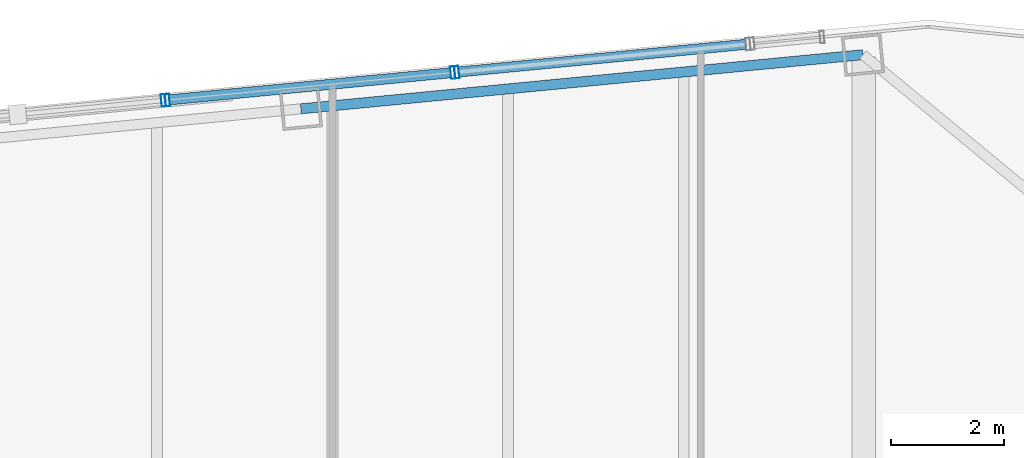
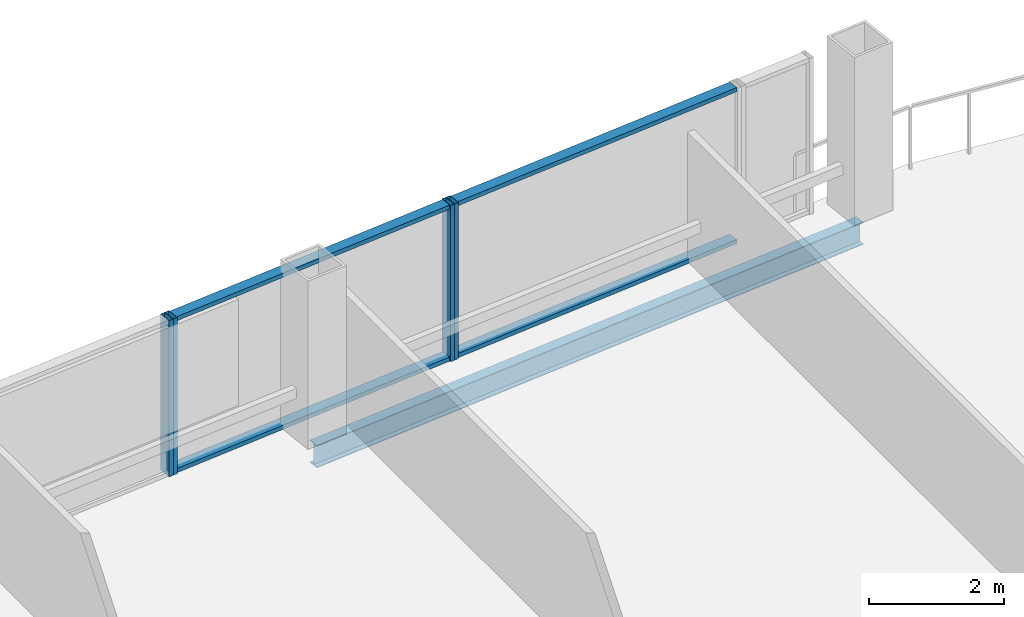
# One storey, part 21 of 29: 8 members, 1 beam, 3 elements without a shape of their own.
"""IFC4 building model written with IfcOpenShell, lengths in metres."""

from ifc_helpers import new_model, si_unit, direction, frame, origin, origin_2d, place, context, subcontext, project, spatial, hollow_rectangle, i_section, extrude, material, layer, layer_set, material_profile, profile_set, type_object, element, aggregate, save


model = new_model("IFC4")

# Units and contexts
model_context = context("Model", 3, precision=1e-05, world=origin(), true_north=direction((0.0, 1.0)))
body_context = subcontext(model_context, "Body", "Model", "MODEL_VIEW")
ifc_project = project(units=[si_unit("LENGTHUNIT", "METRE"), si_unit("AREAUNIT", "SQUARE_METRE"), si_unit("VOLUMEUNIT", "CUBIC_METRE"), si_unit("PLANEANGLEUNIT", "RADIAN"), si_unit("MASSUNIT", "GRAM", prefix="KILO")], contexts=[model_context])

# Site, building, storey
site_placement = place(None, origin())
site = spatial("IfcSite", under=ifc_project, at=site_placement, CompositionType="ELEMENT")
building_placement = place(site_placement, origin())
building = spatial("IfcBuilding", under=site, at=building_placement, Name="Qhalaya Broadcast Tower", CompositionType="ELEMENT")
storey_placement = place(building_placement, frame((0.0, 0.0, 177.5)))
storey = spatial("IfcBuildingStorey", under=building, at=storey_placement, Name="L52", CompositionType="ELEMENT", Elevation=177.5)

# Curtain wall, member
ifc_material_1 = material(Name="Fired Architectural Terracotta", Category="masonry")
ifc_layer_1 = layer(ifc_material_1, 0.219970703125, Name="Fired Architectural Terracotta")
ifc_layer_set_1 = layer_set([ifc_layer_1], Name="Fired Architectural Terracotta")
curtain_wall_type_1 = type_object("IfcCurtainWallType", Name="Block-Cap Unitised Terracotta Spandrel Wall CW-07", PredefinedType="NOTDEFINED", material=ifc_layer_set_1)
curtain_wall_1_placement = place(storey_placement, origin())
curtain_wall_1 = element("IfcCurtainWall", 1, at=curtain_wall_1_placement, inside=storey, type_object=curtain_wall_type_1, Name="L52 Unitised Curtain Wall L52-CW-N2", PredefinedType="NOTDEFINED")
ifc_material_2 = material(Name="Anodised Aluminium 6063-T6", Category="aluminium")
ifc_material_profile_1 = material_profile(ifc_material_2, hollow_rectangle(XDim=0.074951171875, YDim=0.219970703125, WallThickness=0.00390625, at=origin_2d()), Name="ALU-MUL 75x220x4")
ifc_profile_set_1 = profile_set([ifc_material_profile_1], Name="Anodised Aluminium 6063-T6")
member_type_1 = type_object("IfcMemberType", Name="Unitised Curtain-Wall Mullion M01", PredefinedType="MULLION", material=ifc_profile_set_1)
member_1_placement = place(storey_placement, frame((2.195068359375, 25.219482421875, 0.0), z_axis=(0.0, 0.0, 1.0), x_axis=(-0.995395267059, -0.095855424032, 0.0)))
member_1 = element("IfcMember", 2, at=member_1_placement, type_object=member_type_1, Name="CW-07 mullion 2", PredefinedType="MULLION", context=body_context, shape_type="SweptSolid", body=[
    extrude(hollow_rectangle(XDim=0.074951171875, YDim=0.219970703125, WallThickness=0.00390625, at=origin_2d()), origin(), (0.0, 0.0, 1.0), 2.830078125),
])

# Curtain wall, members
ifc_material_3 = material(Name="Solar-Control Low-E Triple Glazing", Category="glass")
ifc_layer_2 = layer(ifc_material_3, 0.219970703125, Name="Solar-Control Low-E Triple Glazing")
ifc_layer_set_2 = layer_set([ifc_layer_2], Name="Solar-Control Low-E Triple Glazing")
curtain_wall_type_2 = type_object("IfcCurtainWallType", Name="Even-Block 4-Storey Double-Module Curtain Wall CW-03", PredefinedType="NOTDEFINED", material=ifc_layer_set_2)
curtain_wall_2_placement = place(storey_placement, origin())
curtain_wall_2 = element("IfcCurtainWall", 3, at=curtain_wall_2_placement, inside=storey, type_object=curtain_wall_type_2, Name="L52 Unitised Curtain Wall L52-CW-N3", PredefinedType="NOTDEFINED")
member_2_placement = place(storey_placement, frame((2.120361328125, 25.21240234375, 0.0), z_axis=(0.0, 0.0, 1.0), x_axis=(-0.995395950784, -0.095848323733, 0.0)))
member_2 = element("IfcMember", 4, at=member_2_placement, type_object=member_type_1, Name="CW-03 mullion 1", PredefinedType="MULLION", context=body_context, shape_type="SweptSolid", body=[
    extrude(hollow_rectangle(XDim=0.074951171875, YDim=0.219970703125, WallThickness=0.00390625, at=origin_2d()), origin(), (0.0, 0.0, 1.0), 2.830078125),
])
member_3_placement = place(storey_placement, frame((-2.912353515625, 24.727783203125, 0.0), z_axis=(0.0, 0.0, 1.0), x_axis=(-0.995395950784, -0.095848323733, 0.0)))
member_3 = element("IfcMember", 5, at=member_3_placement, type_object=member_type_1, Name="CW-03 mullion 2", PredefinedType="MULLION", context=body_context, shape_type="SweptSolid", body=[
    extrude(hollow_rectangle(XDim=0.074951171875, YDim=0.219970703125, WallThickness=0.00390625, at=origin_2d()), origin(), (0.0, 0.0, 1.0), 2.830078125),
])

# Curtain wall, member
curtain_wall_3_placement = place(storey_placement, origin())
curtain_wall_3 = element("IfcCurtainWall", 6, at=curtain_wall_3_placement, inside=storey, type_object=curtain_wall_type_1, Name="L52 Unitised Curtain Wall L52-CW-N4", PredefinedType="NOTDEFINED")
member_4_placement = place(storey_placement, frame((-2.987060546875, 24.720458984375, 0.0), z_axis=(0.0, 0.0, 1.0), x_axis=(-0.995397089148, -0.095836500956, 0.0)))
member_4 = element("IfcMember", 7, at=member_4_placement, type_object=member_type_1, Name="CW-07 mullion 1", PredefinedType="MULLION", context=body_context, shape_type="SweptSolid", body=[
    extrude(hollow_rectangle(XDim=0.074951171875, YDim=0.219970703125, WallThickness=0.00390625, at=origin_2d()), origin(), (0.0, 0.0, 1.0), 2.830078125),
])
aggregate(curtain_wall_3, [member_4])

# Member
ifc_material_profile_2 = material_profile(ifc_material_2, hollow_rectangle(XDim=0.074951171875, YDim=0.179931640625, WallThickness=0.00390625, at=origin_2d()), Name="ALU-TRN 75x180x4")
ifc_profile_set_2 = profile_set([ifc_material_profile_2], Name="Anodised Aluminium 6063-T6")
member_type_2 = type_object("IfcMemberType", Name="Unitised Curtain-Wall Transom T01", PredefinedType="USERDEFINED", material=ifc_profile_set_2)
member_5_placement = place(storey_placement, frame((7.294921875, 25.710693359375, 0.03759765625), z_axis=(-0.995394593967, -0.095862413395, 0.0), x_axis=(0.0, 0.0, 1.0)))
member_5 = element("IfcMember", 8, at=member_5_placement, type_object=member_type_2, Name="CW-07 transom 1.1", ObjectType="TRANSOM", PredefinedType="USERDEFINED", context=body_context, shape_type="SweptSolid", body=[
    extrude(hollow_rectangle(XDim=0.074951171875, YDim=0.179931640625, WallThickness=0.00390625, at=origin_2d()), origin(), (0.0, 0.0, 1.0), 5.0859375),
])

member_6_placement = place(storey_placement, frame((7.294921875, 25.710693359375, 2.79248046875), z_axis=(-0.995394593967, -0.095862413395, 0.0), x_axis=(0.0, 0.0, 1.0)))
member_6 = element("IfcMember", 9, at=member_6_placement, type_object=member_type_2, Name="CW-07 transom 1.2", ObjectType="TRANSOM", PredefinedType="USERDEFINED", context=body_context, shape_type="SweptSolid", body=[
    extrude(hollow_rectangle(XDim=0.074951171875, YDim=0.179931640625, WallThickness=0.00390625, at=origin_2d()), origin(), (0.0, 0.0, 1.0), 5.0859375),
])

aggregate(curtain_wall_1, [member_1, member_5, member_6])

member_7_placement = place(storey_placement, frame((2.0830078125, 25.208740234375, 0.03759765625), z_axis=(-0.995393569905, -0.095873046225, 0.0), x_axis=(0.0, 0.0, 1.0)))
member_7 = element("IfcMember", 10, at=member_7_placement, type_object=member_type_2, Name="CW-03 transom 1.1", ObjectType="TRANSOM", PredefinedType="USERDEFINED", context=body_context, shape_type="SweptSolid", body=[
    extrude(hollow_rectangle(XDim=0.074951171875, YDim=0.179931640625, WallThickness=0.00390625, at=origin_2d()), origin(), (0.0, 0.0, 1.0), 4.98095703125),
])

member_8_placement = place(storey_placement, frame((2.0830078125, 25.208740234375, 2.79248046875), z_axis=(-0.995393569905, -0.095873046225, 0.0), x_axis=(0.0, 0.0, 1.0)))
member_8 = element("IfcMember", 11, at=member_8_placement, type_object=member_type_2, Name="CW-03 transom 1.2", ObjectType="TRANSOM", PredefinedType="USERDEFINED", context=body_context, shape_type="SweptSolid", body=[
    extrude(hollow_rectangle(XDim=0.074951171875, YDim=0.179931640625, WallThickness=0.00390625, at=origin_2d()), origin(), (0.0, 0.0, 1.0), 4.98095703125),
])

aggregate(curtain_wall_2, [member_2, member_3, member_7, member_8])

# Beam
ifc_material_4 = material(Name="Structural Steel ASTM A992 Grade 50", Category="steel")
ifc_material_profile_3 = material_profile(ifc_material_4, i_section(OverallWidth=0.177978515625, OverallDepth=0.406005859375, WebThickness=0.0078125, FlangeThickness=0.0126953125, at=origin_2d()), Name="W16X40")
ifc_profile_set_3 = profile_set([ifc_material_profile_3], Name="Structural Steel ASTM A992 Grade 50")
beam_type = type_object("IfcBeamType", Name="Upper Perimeter Spandrel Beam SP2", PredefinedType="SPANDREL", material=ifc_profile_set_3)
beam_placement = place(storey_placement, frame((9.362060546875, 25.52783203125, -0.423095703125), z_axis=(-0.99539573508, -0.095850563819, 0.0), x_axis=(0.095850563819, -0.99539573508, 0.0)))
element("IfcBeam", 12, at=beam_placement, inside=storey, type_object=beam_type, Name="L52 SP2 L52-SPR-09", PredefinedType="SPANDREL", context=body_context, shape_type="SweptSolid", body=[
    extrude(i_section(OverallWidth=0.177978515625, OverallDepth=0.406005859375, WebThickness=0.0078125, FlangeThickness=0.0126953125, at=origin_2d()), origin(), (0.0, 0.0, 1.0), 9.966796875),
])

save(model, "model.ifc")
